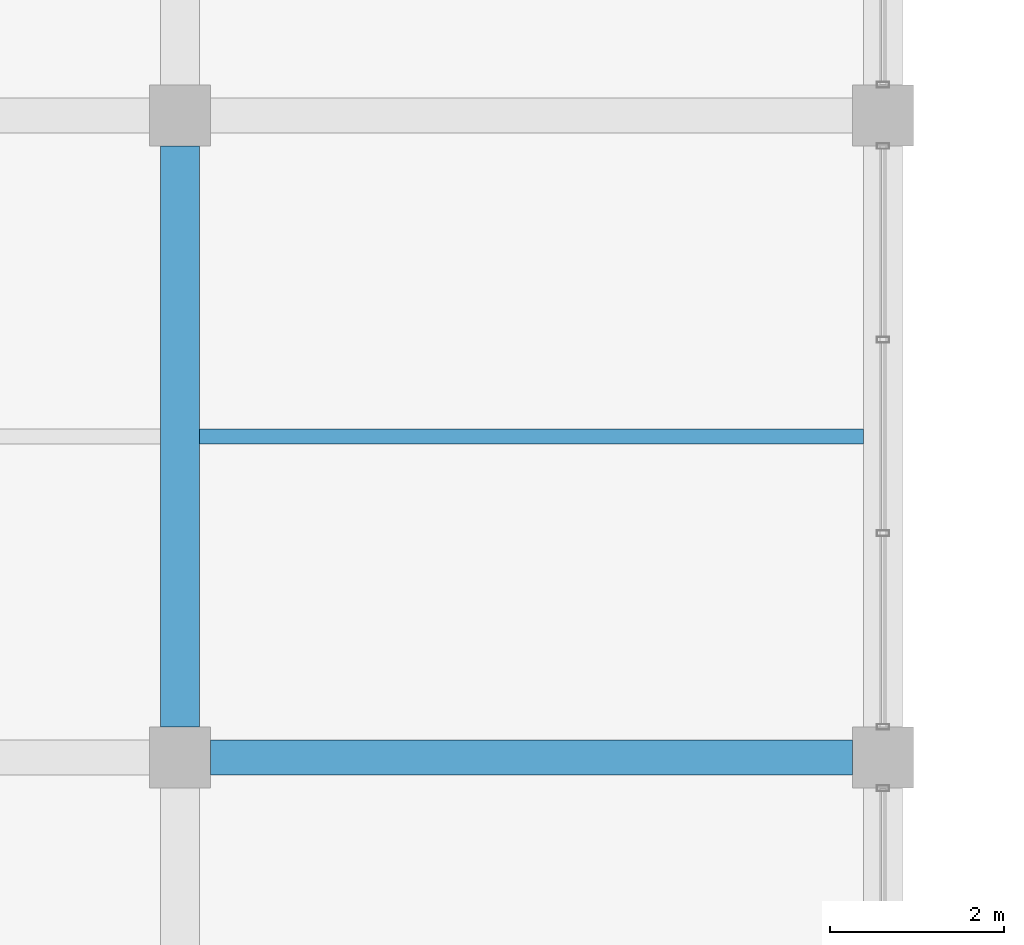
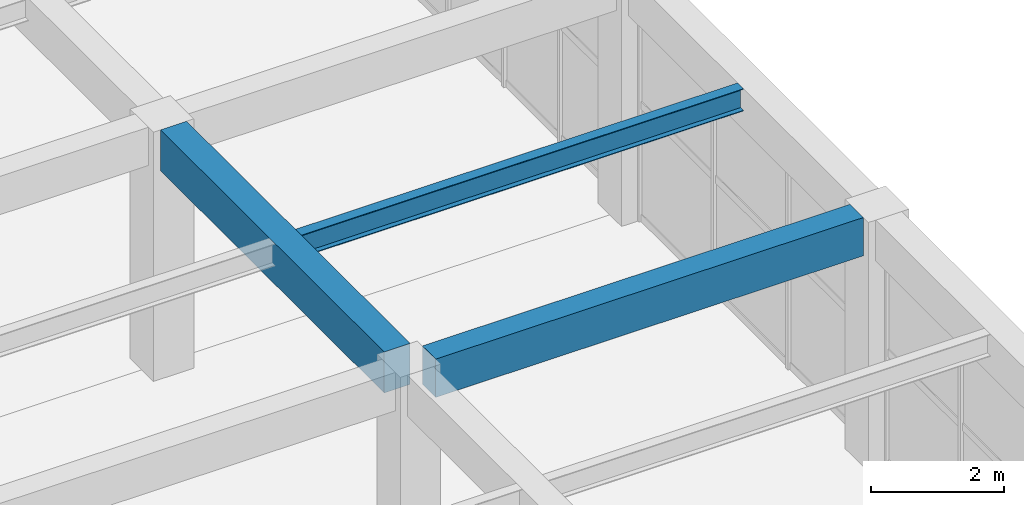
# One storey, part 71 of 161: 3 beams.
"""IFC4 building model written with IfcOpenShell, lengths in metres."""

from ifc_helpers import new_model, si_unit, direction, frame, origin, origin_2d, place, context, subcontext, project, spatial, rectangle, i_section, extrude, material, material_profile, profile_set, type_object, element, save


model = new_model("IFC4")

# Units and contexts
model_context = context("Model", 3, precision=1e-05, world=origin(), true_north=direction((0.0, 1.0)))
body_context = subcontext(model_context, "Body", "Model", "MODEL_VIEW")
ifc_project = project(units=[si_unit("LENGTHUNIT", "METRE"), si_unit("AREAUNIT", "SQUARE_METRE"), si_unit("VOLUMEUNIT", "CUBIC_METRE"), si_unit("PLANEANGLEUNIT", "RADIAN"), si_unit("MASSUNIT", "GRAM", prefix="KILO")], contexts=[model_context])

# Site, building, storey
site_placement = place(None, origin())
site = spatial("IfcSite", under=ifc_project, at=site_placement, CompositionType="ELEMENT")
building_placement = place(site_placement, origin())
building = spatial("IfcBuilding", under=site, at=building_placement, Name="Cimatlan Art Gallery", CompositionType="ELEMENT")
storey_placement = place(building_placement, frame((0.0, 0.0, 5.39990234375)))
storey = spatial("IfcBuildingStorey", under=building, at=storey_placement, Name="L01", CompositionType="ELEMENT", Elevation=5.39990234375)

# Beams
ifc_material_1 = material(Name="Concrete C40/50", Category="concrete")
ifc_material_profile_1 = material_profile(ifc_material_1, rectangle(XDim=0.39990234375, YDim=0.699951171875, at=origin_2d()), Name="RC400X700")
ifc_profile_set_1 = profile_set([ifc_material_profile_1], Name="Concrete C40/50")
beam_type_1 = type_object("IfcBeamType", Name="BM-RC-400X700", PredefinedType="BEAM", material=ifc_profile_set_1)
beam_1_placement = place(storey_placement, frame((42.85009765625, 68.300048828125, 4.210205078125), z_axis=(1.0, 0.0, 0.0), x_axis=(0.0, 1.0, 0.0)))
element("IfcBeam", 1, at=beam_1_placement, inside=storey, type_object=beam_type_1, Name="BM-X-L01-05-09", PredefinedType="BEAM", context=body_context, shape_type="SweptSolid", body=[
    extrude(rectangle(XDim=0.39990234375, YDim=0.699951171875, at=origin_2d()), origin(), (0.0, 0.0, 1.0), 7.39990234375),
])
ifc_material_profile_2 = material_profile(ifc_material_1, rectangle(XDim=0.449951171875, YDim=0.75, at=origin_2d()), Name="RC450X750")
ifc_profile_set_2 = profile_set([ifc_material_profile_2], Name="Concrete C40/50")
beam_type_2 = type_object("IfcBeamType", Name="BM-RC-450X750", PredefinedType="BEAM", material=ifc_profile_set_2)
beam_2_placement = place(storey_placement, frame((42.5, 68.64990234375, 4.18505859375), z_axis=(0.0, 1.0, 0.0), x_axis=(-1.0, 0.0, 0.0)))
element("IfcBeam", 2, at=beam_2_placement, inside=storey, type_object=beam_type_2, Name="BM-Y-L01-05-09", PredefinedType="BEAM", context=body_context, shape_type="SweptSolid", body=[
    extrude(rectangle(XDim=0.449951171875, YDim=0.75, at=origin_2d()), origin(), (0.0, 0.0, 1.0), 6.7001953125),
])
ifc_material_2 = material(Name="Steel ASTM A992 Grade 50", Category="steel")
ifc_material_profile_3 = material_profile(ifc_material_2, i_section(OverallWidth=0.177978515625, OverallDepth=0.406982421875, WebThickness=0.0078125, FlangeThickness=0.0126953125, at=origin_2d()), Name="W16X40")
ifc_profile_set_3 = profile_set([ifc_material_profile_3], Name="Steel ASTM A992 Grade 50")
beam_type_3 = type_object("IfcBeamType", Name="BM-STL-W16X40", PredefinedType="JOIST", material=ifc_profile_set_3)
beam_3_placement = place(storey_placement, frame((42.72509765625, 72.0, 4.356689453125), z_axis=(1.0, 0.0, 0.0), x_axis=(0.0, 1.0, 0.0)))
element("IfcBeam", 3, at=beam_3_placement, inside=storey, type_object=beam_type_3, Name="JST-L01-05-09", PredefinedType="JOIST", context=body_context, shape_type="SweptSolid", body=[
    extrude(i_section(OverallWidth=0.177978515625, OverallDepth=0.406982421875, WebThickness=0.0078125, FlangeThickness=0.0126953125, at=origin_2d()), origin(), (0.0, 0.0, 1.0), 7.64990234375),
])

save(model, "model.ifc")
